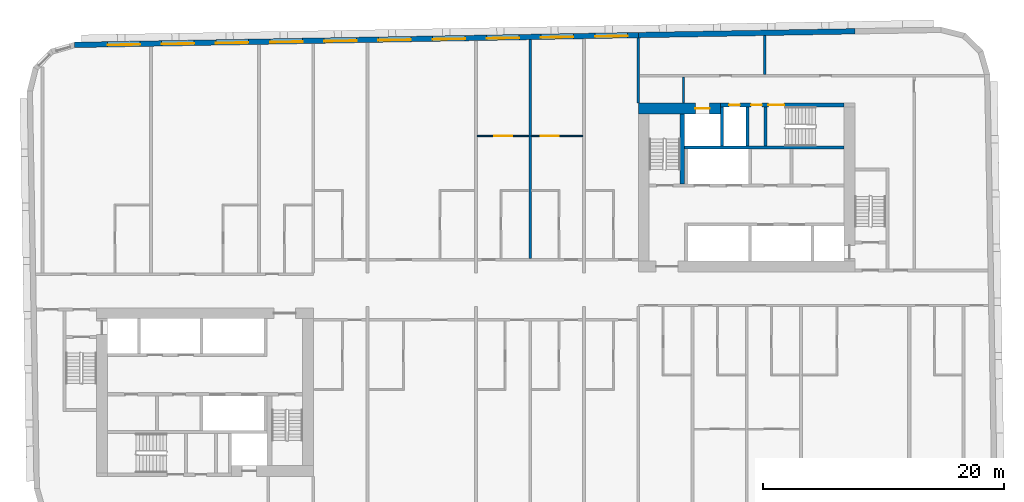
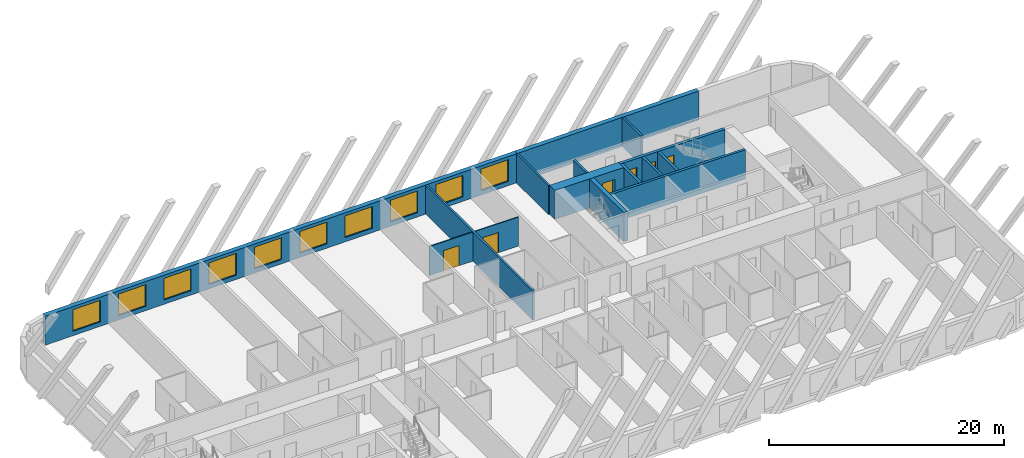
# One storey, part 6 of 12: 15 walls, 10 windows, 6 doors, 16 openings.
"""IFC4 building model written with IfcOpenShell, lengths in metres."""

import ifcopenshell
import ifcopenshell.guid

model = None  # the IFC model being written
_history = None  # IfcOwnerHistory: only IFC2X3 demands one
_inside = {}  # id of a spatial element -> (the spatial element, [elements in it])
_under = {}  # id of a project, library or spatial element -> (it, [spatial elements below it])
_declared = {}  # id of a project -> (the project, [libraries it declares])
_typed = {}  # id of a type object -> (the type object, [elements of that type])
_made_of = {}  # id of a material, layer set ... -> (it, [elements and type objects made of it])


def new_model(schema):
    """Start an empty IFC model of exactly this schema.

    Asked for "IFC4X3", IfcOpenShell would pick the latest addendum, in which some entities
    have other attributes; the version numbers below select the first issue.
    IFC2X3 requires an IfcOwnerHistory on every rooted entity: one is made here for all.
    """
    global model, _history
    if schema == "IFC4X3":
        model = ifcopenshell.file(schema_version=(4, 3, 0, 0))
    else:
        model = ifcopenshell.file(schema=schema)
    _inside.clear()
    _under.clear()
    _declared.clear()
    _typed.clear()
    _made_of.clear()
    _history = None
    if model.schema == "IFC2X3":
        org = make("IfcOrganization", Name="unknown")
        user = make(
            "IfcPersonAndOrganization",
            ThePerson=make("IfcPerson", FamilyName="unknown"),
            TheOrganization=org,
        )
        app = make(
            "IfcApplication",
            ApplicationDeveloper=org,
            Version="unknown",
            ApplicationFullName="unknown",
            ApplicationIdentifier="unknown",
        )
        _history = make(
            "IfcOwnerHistory",
            OwningUser=user,
            OwningApplication=app,
            ChangeAction="ADDED",
            CreationDate=0,
        )
    return model


def make(cls, **values):
    """One entity of the class cls with the attributes given. An attribute that is None is left unset."""
    return model.create_entity(
        cls, **{name: value for name, value in values.items() if value is not None}
    )


def rooted(cls, **values):
    """An entity with a GlobalId (a new one), such as an element, a storey or a relation."""
    return make(cls, GlobalId=ifcopenshell.guid.new(), OwnerHistory=_history, **values)


def si_unit(unit_type, name, prefix=None):
    """IfcSIUnit, for example si_unit("LENGTHUNIT", "METRE", prefix="MILLI")."""
    return make("IfcSIUnit", UnitType=unit_type, Prefix=prefix, Name=name)


def assignment(units):
    """IfcUnitAssignment: the units of a project."""
    return None if units is None else make("IfcUnitAssignment", Units=units)


def point(xyz):
    """IfcCartesianPoint."""
    return None if xyz is None else make("IfcCartesianPoint", Coordinates=xyz)


def direction(xyz):
    """IfcDirection."""
    return None if xyz is None else make("IfcDirection", DirectionRatios=xyz)


def frame(location, z_axis=None, x_axis=None):
    """IfcAxis2Placement3D, a coordinate frame: its origin and axes. An axis left out is left unset."""
    return make(
        "IfcAxis2Placement3D",
        Location=point(location),
        Axis=direction(z_axis),
        RefDirection=direction(x_axis),
    )


def frame_2d(location, x_axis=None):
    """IfcAxis2Placement2D, a coordinate frame in the plane: its origin and x axis."""
    return make(
        "IfcAxis2Placement2D", Location=point(location), RefDirection=direction(x_axis)
    )


def origin():
    """The frame at (0, 0, 0) with its axes left unset."""
    return frame((0.0, 0.0, 0.0))


def place(relative_to, where):
    """IfcLocalPlacement: puts the frame where relative to a parent placement (None: the world)."""
    return make(
        "IfcLocalPlacement", PlacementRelTo=relative_to, RelativePlacement=where
    )


def context(
    kind, dimensions, precision=None, world=None, true_north=None, identifier=None
):
    """IfcGeometricRepresentationContext, for example the 3D "Model" context."""
    return make(
        "IfcGeometricRepresentationContext",
        ContextIdentifier=identifier,
        ContextType=kind,
        CoordinateSpaceDimension=dimensions,
        Precision=precision,
        WorldCoordinateSystem=world,
        TrueNorth=true_north,
    )


def subcontext(parent, identifier, kind, view, scale=None):
    """IfcGeometricRepresentationSubContext, for example "Body" below "Model"."""
    return make(
        "IfcGeometricRepresentationSubContext",
        ContextIdentifier=identifier,
        ContextType=kind,
        ParentContext=parent,
        TargetScale=scale,
        TargetView=view,
    )


def project(units=None, contexts=None):
    """IfcProject with its units and contexts."""
    return rooted(
        "IfcProject",
        Name="project",
        RepresentationContexts=contexts,
        UnitsInContext=assignment(units),
    )


def spatial(cls, under=None, at=None, **own):
    """A site, building, storey or space (cls), placed at a placement, below another one or the project."""
    s = rooted(cls, ObjectPlacement=at, **own)
    if under is not None:
        _under.setdefault(under.id(), (under, []))[1].append(s)
    return s


def profile(cls, at=None, kind="AREA", **sizes):
    """A parametric profile (cls). Its sizes go by their IFC names, for example OverallWidth=200.0."""
    return make(cls, ProfileType=kind, Position=at, **sizes)


def rectangle(**sizes):
    """IfcRectangleProfileDef."""
    return profile("IfcRectangleProfileDef", **sizes)


def extrude(swept, where, along, depth):
    """IfcExtrudedAreaSolid: the profile swept, set in the frame where, extruded along a direction by depth."""
    return make(
        "IfcExtrudedAreaSolid",
        SweptArea=swept,
        Position=where,
        ExtrudedDirection=direction(along),
        Depth=depth,
    )


def shape(context_of_items, identifier, shape_type, items):
    """IfcShapeRepresentation: the items that make up one representation, for example the "Body"."""
    return make(
        "IfcShapeRepresentation",
        ContextOfItems=context_of_items,
        RepresentationIdentifier=identifier,
        RepresentationType=shape_type,
        Items=items,
    )


def material(Name=None, Category=None):
    """IfcMaterial."""
    return make("IfcMaterial", Name=Name, Category=Category)


def layer(
    of_material, thickness, ventilated=None, Name=None, Category=None, Priority=None
):
    """IfcMaterialLayer: one layer of a wall or slab, of a material (None: an air gap)."""
    return make(
        "IfcMaterialLayer",
        Material=of_material,
        LayerThickness=thickness,
        IsVentilated=ventilated,
        Name=Name,
        Category=Category,
        Priority=Priority,
    )


def layer_set(layers, Name=None):
    """IfcMaterialLayerSet."""
    return make("IfcMaterialLayerSet", MaterialLayers=layers, LayerSetName=Name)


def made_of(thing, what):
    """Note that an element or type object is made of a material, layer set ...; save() writes the relation."""
    if what is not None:
        _made_of.setdefault(what.id(), (what, []))[1].append(thing)
    return thing


def type_object(cls, material=None, **own):
    """A type object (cls), such as IfcWallType, which elements share."""
    return made_of(rooted(cls, **own), material)


def element(
    cls,
    number,
    at=None,
    inside=None,
    cuts=None,
    type_object=None,
    material=None,
    context=None,
    identifier="Body",
    shape_type=None,
    held_by="IfcProductDefinitionShape",
    body=None,
    shapes=None,
    **own,
):
    """One element of the class cls, such as IfcWall. Its Tag is "e" and its number.

    at: its placement. inside: the storey or other place that contains it. cuts: it is an
    opening in that element (IfcRelVoidsElement). A single representation is given by context,
    identifier, shape_type and body (its items); several are given by shapes. held_by: the class
    of the entity that holds the representations. save() writes the other relations.
    """
    e = rooted(cls, Tag="e%d" % number, ObjectPlacement=at, **own)
    if body is not None:
        shapes = [shape(context, identifier, shape_type, body)]
    if shapes is not None:
        e.Representation = make(held_by, Representations=shapes)
    if inside is not None:
        _inside.setdefault(inside.id(), (inside, []))[1].append(e)
    if cuts is not None:
        rooted(
            "IfcRelVoidsElement", RelatingBuildingElement=cuts, RelatedOpeningElement=e
        )
    if type_object is not None:
        _typed.setdefault(type_object.id(), (type_object, []))[1].append(e)
    return made_of(e, material)


def fill(opening, filler):
    """IfcRelFillsElement: the door or window that sits in an opening."""
    return rooted(
        "IfcRelFillsElement",
        RelatingOpeningElement=opening,
        RelatedBuildingElement=filler,
    )


def aggregate(whole, parts):
    """IfcRelAggregates: a whole, such as a stair, and the parts it consists of."""
    return rooted("IfcRelAggregates", RelatingObject=whole, RelatedObjects=parts)


def save(model, path):
    """Write the relations noted so far, then the file.

    IfcRelAggregates (storeys below a building ...), IfcRelContainedInSpatialStructure (elements
    in a storey), IfcRelDefinesByType, IfcRelAssociatesMaterial and IfcRelDeclares: one each for
    every whole, place, type object, material and project.
    """
    for whole, parts in _under.values():
        aggregate(whole, parts)
    for where, things in _inside.values():
        rooted(
            "IfcRelContainedInSpatialStructure",
            RelatedElements=things,
            RelatingStructure=where,
        )
    for kind, things in _typed.values():
        rooted("IfcRelDefinesByType", RelatedObjects=things, RelatingType=kind)
    for what, things in _made_of.values():
        rooted("IfcRelAssociatesMaterial", RelatedObjects=things, RelatingMaterial=what)
    for by, libraries in _declared.values():
        rooted("IfcRelDeclares", RelatingContext=by, RelatedDefinitions=libraries)
    model.write(path)


model = new_model("IFC4")

# Units and contexts
model_context = context("Model", 3, precision=1e-05, world=origin(), true_north=direction((0.0, 1.0)))
body_context = subcontext(model_context, "Body", "Model", "MODEL_VIEW")
ifc_project = project(units=[si_unit("LENGTHUNIT", "METRE"), si_unit("AREAUNIT", "SQUARE_METRE"), si_unit("VOLUMEUNIT", "CUBIC_METRE"), si_unit("PLANEANGLEUNIT", "RADIAN"), si_unit("MASSUNIT", "GRAM", prefix="KILO")], contexts=[model_context])

# Site, building, storey
site_placement = place(None, origin())
site = spatial("IfcSite", under=ifc_project, at=site_placement, CompositionType="ELEMENT")
building_placement = place(site_placement, origin())
building = spatial("IfcBuilding", under=site, at=building_placement, Name="Kajstack Hotel Tower", CompositionType="ELEMENT")
storey_placement = place(building_placement, frame((0.0, 0.0, 227.60009765625)))
storey = spatial("IfcBuildingStorey", under=building, at=storey_placement, Name="L55", CompositionType="ELEMENT", Elevation=227.60009765625)

# Wall, opening, door
ifc_material_1 = material(Name="Concrete C60/75", Category="concrete")
ifc_layer_1 = layer(ifc_material_1, 0.89990234375)
ifc_layer_set_1 = layer_set([ifc_layer_1], Name="Core wall 900")
wall_type_1 = type_object("IfcWallType", Name="Core wall 900", PredefinedType="SHEAR", material=ifc_layer_set_1)
wall_1_placement = place(storey_placement, frame((13.5, 15.050048828125, 0.0), z_axis=(0.0, 0.0, 1.0), x_axis=(1.0, 0.0, 0.0)))
wall_1 = element("IfcWall", 1, at=wall_1_placement, inside=storey, type_object=wall_type_1, Name="Core wall E RS", PredefinedType="SHEAR", context=body_context, shape_type="SweptSolid", body=[
    extrude(rectangle(XDim=6.800048828125, YDim=0.89990234375, at=frame_2d((3.39990234375, 0.0))), origin(), (0.0, 0.0, 1.0), 3.02001953125),
])
opening_1_placement = place(wall_1_placement, frame((4.72509765625, 0.0, 0.0)))
opening_1 = element("IfcOpeningElement", 2, at=opening_1_placement, cuts=wall_1, Name="Opening LD-SV2", PredefinedType="OPENING", context=body_context, shape_type="SweptSolid", body=[
    extrude(rectangle(XDim=1.199951171875, YDim=2.10009765625, at=frame_2d((0.60009765625, 1.050048828125))), frame((0.0, 0.4599609375, 0.0), z_axis=(0.0, -1.0, 0.0), x_axis=(1.0, 0.0, 0.0)), (0.0, 0.0, 1.0), 0.919921875),
])
ifc_material_2 = material(Name="Stainless steel", Category="steel")
door_type_1 = type_object("IfcDoorType", Name="Lift landing door 1200", OperationType="SLIDING_TO_LEFT", PredefinedType="DOOR", material=ifc_material_2)
door_1_placement = place(opening_1_placement, origin())
door_1 = element("IfcDoor", 3, at=door_1_placement, inside=storey, type_object=door_type_1, Name="Landing door SV2", OperationType="SLIDING_TO_LEFT", OverallHeight=2.10009765625, OverallWidth=1.199951171875, PredefinedType="DOOR", context=body_context, shape_type="SweptSolid", body=[
    extrude(rectangle(XDim=1.199951171875, YDim=2.10009765625, at=frame_2d((0.60009765625, 1.050048828125))), frame((0.0, 0.02490234375, 0.0), z_axis=(0.0, -1.0, 0.0), x_axis=(1.0, 0.0, 0.0)), (0.0, 0.0, 1.0), 0.050048828125),
])
fill(opening_1, door_1)

# Walls
ifc_material_3 = material(Name="Twin-frame gypsum board on steel studs, mineral wool", Category="steel")
ifc_layer_2 = layer(ifc_material_3, 0.199951171875)
ifc_layer_set_2 = layer_set([ifc_layer_2], Name="Demising wall 200")
wall_type_2 = type_object("IfcWallType", Name="Demising wall 200", PredefinedType="PARTITIONING", material=ifc_layer_set_2)
wall_2_placement = place(storey_placement, frame((13.5, 15.5, 0.0), z_axis=(0.0, 0.0, 1.0), x_axis=(0.0, 1.0, 0.0)))
element("IfcWall", 4, at=wall_2_placement, inside=storey, type_object=wall_type_2, Name="G-wall-L55-001", PredefinedType="PARTITIONING", context=body_context, shape_type="SweptSolid", body=[
    extrude(rectangle(XDim=5.43603515625, YDim=0.199951171875, at=frame_2d((2.718017578125, 0.0))), origin(), (0.0, 0.0, 1.0), 3.02001953125),
])
wall_3_placement = place(storey_placement, frame((4.5, 2.60009765625, 0.0), z_axis=(0.0, 0.0, 1.0), x_axis=(0.0, 1.0, 0.0)))
element("IfcWall", 5, at=wall_3_placement, inside=storey, type_object=wall_type_2, Name="G-wall-L55-016", PredefinedType="PARTITIONING", context=body_context, shape_type="SweptSolid", body=[
    extrude(rectangle(XDim=18.178955078125, YDim=0.199951171875, at=frame_2d((9.08935546875, 0.0))), origin(), (0.0, 0.0, 1.0), 3.02001953125),
])
ifc_material_4 = material(Name="Concrete C40/50", Category="concrete")
ifc_layer_3 = layer(ifc_material_4, 0.449951171875)
ifc_layer_set_3 = layer_set([ifc_layer_3], Name="EW-CORE")
wall_type_3 = type_object("IfcWallType", Name="EW-CORE", PredefinedType="SOLIDWALL", material=ifc_layer_set_3)
wall_4_placement = place(storey_placement, frame((31.50390625, 21.4755859375, 0.0), z_axis=(0.0, 0.0, 1.0), x_axis=(-0.999847677887, -0.017453395744, 0.0)))
element("IfcWall", 6, at=wall_4_placement, inside=storey, type_object=wall_type_3, Name="E-wall-L55-12-01", PredefinedType="SOLIDWALL", context=body_context, shape_type="SweptSolid", body=[
    extrude(rectangle(XDim=18.002685546875, YDim=0.449951171875, at=frame_2d((9.00146484375, 0.0))), origin(), (0.0, 0.0, 1.0), 3.02001953125),
])

# Wall, openings, windows
ifc_material_5 = material(Name="Terracotta-faced brick masonry", Category="masonry")
ifc_layer_4 = layer(ifc_material_5, 0.449951171875)
ifc_layer_set_4 = layer_set([ifc_layer_4], Name="EW-TERRA")
wall_type_4 = type_object("IfcWallType", Name="EW-TERRA", PredefinedType="SOLIDWALL", material=ifc_layer_set_4)
wall_5_placement = place(storey_placement, frame((13.50390625, 21.161376953125, 0.0), z_axis=(0.0, 0.0, 1.0), x_axis=(-0.999847763257, -0.017448504532, 0.0)))
wall_5 = element("IfcWall", 7, at=wall_5_placement, inside=storey, type_object=wall_type_4, Name="E-wall-L55-12-02", PredefinedType="SOLIDWALL", context=body_context, shape_type="SweptSolid", body=[
    extrude(rectangle(XDim=46.859375, YDim=0.449951171875, at=frame_2d((23.4296875, 0.0))), origin(), (0.0, 0.0, 1.0), 3.02001953125),
])
opening_2_placement = place(wall_5_placement, frame((0.900390625, 0.0, 0.449951171875)))
opening_2 = element("IfcOpeningElement", 8, at=opening_2_placement, cuts=wall_5, Name="Opening W1", PredefinedType="OPENING", context=body_context, shape_type="SweptSolid", body=[
    extrude(rectangle(XDim=2.699951171875, YDim=2.25, at=frame_2d((1.35009765625, 1.125))), frame((0.0, 0.23486328125, 0.0), z_axis=(0.0, -1.0, 0.0), x_axis=(1.0, 0.0, 0.0)), (0.0, 0.0, 1.0), 0.469970703125),
])
opening_3_placement = place(wall_5_placement, frame((5.401123046875, 0.0, 0.449951171875)))
opening_3 = element("IfcOpeningElement", 9, at=opening_3_placement, cuts=wall_5, Name="Opening W1", PredefinedType="OPENING", context=body_context, shape_type="SweptSolid", body=[
    extrude(rectangle(XDim=2.699951171875, YDim=2.25, at=frame_2d((1.35009765625, 1.125))), frame((0.0, 0.23486328125, 0.0), z_axis=(0.0, -1.0, 0.0), x_axis=(1.0, 0.0, 0.0)), (0.0, 0.0, 1.0), 0.469970703125),
])
opening_4_placement = place(wall_5_placement, frame((9.90185546875, 0.0, 0.449951171875)))
opening_4 = element("IfcOpeningElement", 10, at=opening_4_placement, cuts=wall_5, Name="Opening W1", PredefinedType="OPENING", context=body_context, shape_type="SweptSolid", body=[
    extrude(rectangle(XDim=2.699951171875, YDim=2.25, at=frame_2d((1.35009765625, 1.125))), frame((0.0, 0.23486328125, 0.0), z_axis=(0.0, -1.0, 0.0), x_axis=(1.0, 0.0, 0.0)), (0.0, 0.0, 1.0), 0.469970703125),
])
opening_5_placement = place(wall_5_placement, frame((14.40234375, 0.0, 0.449951171875)))
opening_5 = element("IfcOpeningElement", 11, at=opening_5_placement, cuts=wall_5, Name="Opening W1", PredefinedType="OPENING", context=body_context, shape_type="SweptSolid", body=[
    extrude(rectangle(XDim=2.699951171875, YDim=2.25, at=frame_2d((1.35009765625, 1.125))), frame((0.0, 0.23486328125, 0.0), z_axis=(0.0, -1.0, 0.0), x_axis=(1.0, 0.0, 0.0)), (0.0, 0.0, 1.0), 0.469970703125),
])
opening_6_placement = place(wall_5_placement, frame((18.9033203125, 0.0, 0.449951171875)))
opening_6 = element("IfcOpeningElement", 12, at=opening_6_placement, cuts=wall_5, Name="Opening W1", PredefinedType="OPENING", context=body_context, shape_type="SweptSolid", body=[
    extrude(rectangle(XDim=2.699951171875, YDim=2.25, at=frame_2d((1.35009765625, 1.125))), frame((0.0, 0.23486328125, 0.0), z_axis=(0.0, -1.0, 0.0), x_axis=(1.0, 0.0, 0.0)), (0.0, 0.0, 1.0), 0.469970703125),
])
opening_7_placement = place(wall_5_placement, frame((23.40380859375, 0.0, 0.449951171875)))
opening_7 = element("IfcOpeningElement", 13, at=opening_7_placement, cuts=wall_5, Name="Opening W1", PredefinedType="OPENING", context=body_context, shape_type="SweptSolid", body=[
    extrude(rectangle(XDim=2.699951171875, YDim=2.25, at=frame_2d((1.35009765625, 1.125))), frame((0.0, 0.23486328125, 0.0), z_axis=(0.0, -1.0, 0.0), x_axis=(1.0, 0.0, 0.0)), (0.0, 0.0, 1.0), 0.469970703125),
])
opening_8_placement = place(wall_5_placement, frame((27.904296875, 0.0, 0.449951171875)))
opening_8 = element("IfcOpeningElement", 14, at=opening_8_placement, cuts=wall_5, Name="Opening W1", PredefinedType="OPENING", context=body_context, shape_type="SweptSolid", body=[
    extrude(rectangle(XDim=2.699951171875, YDim=2.25, at=frame_2d((1.35009765625, 1.125))), frame((0.0, 0.23486328125, 0.0), z_axis=(0.0, -1.0, 0.0), x_axis=(1.0, 0.0, 0.0)), (0.0, 0.0, 1.0), 0.469970703125),
])
opening_9_placement = place(wall_5_placement, frame((32.4052734375, 0.0, 0.449951171875)))
opening_9 = element("IfcOpeningElement", 15, at=opening_9_placement, cuts=wall_5, Name="Opening W1", PredefinedType="OPENING", context=body_context, shape_type="SweptSolid", body=[
    extrude(rectangle(XDim=2.699951171875, YDim=2.25, at=frame_2d((1.35009765625, 1.125))), frame((0.0, 0.23486328125, 0.0), z_axis=(0.0, -1.0, 0.0), x_axis=(1.0, 0.0, 0.0)), (0.0, 0.0, 1.0), 0.469970703125),
])
opening_10_placement = place(wall_5_placement, frame((36.906005859375, 0.0, 0.449951171875)))
opening_10 = element("IfcOpeningElement", 16, at=opening_10_placement, cuts=wall_5, Name="Opening W1", PredefinedType="OPENING", context=body_context, shape_type="SweptSolid", body=[
    extrude(rectangle(XDim=2.699951171875, YDim=2.25, at=frame_2d((1.35009765625, 1.125))), frame((0.0, 0.23486328125, 0.0), z_axis=(0.0, -1.0, 0.0), x_axis=(1.0, 0.0, 0.0)), (0.0, 0.0, 1.0), 0.469970703125),
])
opening_11_placement = place(wall_5_placement, frame((41.406494140625, 0.0, 0.449951171875)))
opening_11 = element("IfcOpeningElement", 17, at=opening_11_placement, cuts=wall_5, Name="Opening W1", PredefinedType="OPENING", context=body_context, shape_type="SweptSolid", body=[
    extrude(rectangle(XDim=2.699951171875, YDim=2.25, at=frame_2d((1.35009765625, 1.125))), frame((0.0, 0.23486328125, 0.0), z_axis=(0.0, -1.0, 0.0), x_axis=(1.0, 0.0, 0.0)), (0.0, 0.0, 1.0), 0.469970703125),
])
ifc_material_6 = material(Name="Timber-aluminium window, triple glazed", Category="wood")
window_type = type_object("IfcWindowType", Name="WG1", PartitioningType="SINGLE_PANEL", PredefinedType="WINDOW", material=ifc_material_6)
window_1_placement = place(opening_2_placement, origin())
window_1 = element("IfcWindow", 18, at=window_1_placement, inside=storey, type_object=window_type, Name="Window W1 L55-12", OverallHeight=2.25, OverallWidth=2.699951171875, PartitioningType="SINGLE_PANEL", PredefinedType="WINDOW", context=body_context, shape_type="SweptSolid", body=[
    extrude(rectangle(XDim=2.699951171875, YDim=2.25, at=frame_2d((1.35009765625, 1.125))), frame((0.0, 0.090087890625, 0.0), z_axis=(0.0, -1.0, 0.0), x_axis=(1.0, 0.0, 0.0)), (0.0, 0.0, 1.0), 0.06005859375),
])
fill(opening_2, window_1)
window_2_placement = place(opening_3_placement, origin())
window_2 = element("IfcWindow", 19, at=window_2_placement, inside=storey, type_object=window_type, Name="Window W1 L55-12", OverallHeight=2.25, OverallWidth=2.699951171875, PartitioningType="SINGLE_PANEL", PredefinedType="WINDOW", context=body_context, shape_type="SweptSolid", body=[
    extrude(rectangle(XDim=2.699951171875, YDim=2.25, at=frame_2d((1.35009765625, 1.125))), frame((0.0, 0.090087890625, 0.0), z_axis=(0.0, -1.0, 0.0), x_axis=(1.0, 0.0, 0.0)), (0.0, 0.0, 1.0), 0.06005859375),
])
fill(opening_3, window_2)
window_3_placement = place(opening_4_placement, origin())
window_3 = element("IfcWindow", 20, at=window_3_placement, inside=storey, type_object=window_type, Name="Window W1 L55-12", OverallHeight=2.25, OverallWidth=2.699951171875, PartitioningType="SINGLE_PANEL", PredefinedType="WINDOW", context=body_context, shape_type="SweptSolid", body=[
    extrude(rectangle(XDim=2.699951171875, YDim=2.25, at=frame_2d((1.35009765625, 1.125))), frame((0.0, 0.090087890625, 0.0), z_axis=(0.0, -1.0, 0.0), x_axis=(1.0, 0.0, 0.0)), (0.0, 0.0, 1.0), 0.06005859375),
])
fill(opening_4, window_3)
window_4_placement = place(opening_5_placement, origin())
window_4 = element("IfcWindow", 21, at=window_4_placement, inside=storey, type_object=window_type, Name="Window W1 L55-12", OverallHeight=2.25, OverallWidth=2.699951171875, PartitioningType="SINGLE_PANEL", PredefinedType="WINDOW", context=body_context, shape_type="SweptSolid", body=[
    extrude(rectangle(XDim=2.699951171875, YDim=2.25, at=frame_2d((1.35009765625, 1.125))), frame((0.0, 0.090087890625, 0.0), z_axis=(0.0, -1.0, 0.0), x_axis=(1.0, 0.0, 0.0)), (0.0, 0.0, 1.0), 0.06005859375),
])
fill(opening_5, window_4)
window_5_placement = place(opening_6_placement, origin())
window_5 = element("IfcWindow", 22, at=window_5_placement, inside=storey, type_object=window_type, Name="Window W1 L55-12", OverallHeight=2.25, OverallWidth=2.699951171875, PartitioningType="SINGLE_PANEL", PredefinedType="WINDOW", context=body_context, shape_type="SweptSolid", body=[
    extrude(rectangle(XDim=2.699951171875, YDim=2.25, at=frame_2d((1.35009765625, 1.125))), frame((0.0, 0.090087890625, 0.0), z_axis=(0.0, -1.0, 0.0), x_axis=(1.0, 0.0, 0.0)), (0.0, 0.0, 1.0), 0.06005859375),
])
fill(opening_6, window_5)
window_6_placement = place(opening_7_placement, origin())
window_6 = element("IfcWindow", 23, at=window_6_placement, inside=storey, type_object=window_type, Name="Window W1 L55-12", OverallHeight=2.25, OverallWidth=2.699951171875, PartitioningType="SINGLE_PANEL", PredefinedType="WINDOW", context=body_context, shape_type="SweptSolid", body=[
    extrude(rectangle(XDim=2.699951171875, YDim=2.25, at=frame_2d((1.35009765625, 1.125))), frame((0.0, 0.090087890625, 0.0), z_axis=(0.0, -1.0, 0.0), x_axis=(1.0, 0.0, 0.0)), (0.0, 0.0, 1.0), 0.06005859375),
])
fill(opening_7, window_6)
window_7_placement = place(opening_8_placement, origin())
window_7 = element("IfcWindow", 24, at=window_7_placement, inside=storey, type_object=window_type, Name="Window W1 L55-12", OverallHeight=2.25, OverallWidth=2.699951171875, PartitioningType="SINGLE_PANEL", PredefinedType="WINDOW", context=body_context, shape_type="SweptSolid", body=[
    extrude(rectangle(XDim=2.699951171875, YDim=2.25, at=frame_2d((1.35009765625, 1.125))), frame((0.0, 0.090087890625, 0.0), z_axis=(0.0, -1.0, 0.0), x_axis=(1.0, 0.0, 0.0)), (0.0, 0.0, 1.0), 0.06005859375),
])
fill(opening_8, window_7)
window_8_placement = place(opening_9_placement, origin())
window_8 = element("IfcWindow", 25, at=window_8_placement, inside=storey, type_object=window_type, Name="Window W1 L55-12", OverallHeight=2.25, OverallWidth=2.699951171875, PartitioningType="SINGLE_PANEL", PredefinedType="WINDOW", context=body_context, shape_type="SweptSolid", body=[
    extrude(rectangle(XDim=2.699951171875, YDim=2.25, at=frame_2d((1.35009765625, 1.125))), frame((0.0, 0.090087890625, 0.0), z_axis=(0.0, -1.0, 0.0), x_axis=(1.0, 0.0, 0.0)), (0.0, 0.0, 1.0), 0.06005859375),
])
fill(opening_9, window_8)
window_9_placement = place(opening_10_placement, origin())
window_9 = element("IfcWindow", 26, at=window_9_placement, inside=storey, type_object=window_type, Name="Window W1 L55-12", OverallHeight=2.25, OverallWidth=2.699951171875, PartitioningType="SINGLE_PANEL", PredefinedType="WINDOW", context=body_context, shape_type="SweptSolid", body=[
    extrude(rectangle(XDim=2.699951171875, YDim=2.25, at=frame_2d((1.35009765625, 1.125))), frame((0.0, 0.090087890625, 0.0), z_axis=(0.0, -1.0, 0.0), x_axis=(1.0, 0.0, 0.0)), (0.0, 0.0, 1.0), 0.06005859375),
])
fill(opening_10, window_9)
window_10_placement = place(opening_11_placement, origin())
window_10 = element("IfcWindow", 27, at=window_10_placement, inside=storey, type_object=window_type, Name="Window W1 L55-12", OverallHeight=2.25, OverallWidth=2.699951171875, PartitioningType="SINGLE_PANEL", PredefinedType="WINDOW", context=body_context, shape_type="SweptSolid", body=[
    extrude(rectangle(XDim=2.699951171875, YDim=2.25, at=frame_2d((1.35009765625, 1.125))), frame((0.0, 0.090087890625, 0.0), z_axis=(0.0, -1.0, 0.0), x_axis=(1.0, 0.0, 0.0)), (0.0, 0.0, 1.0), 0.06005859375),
])
fill(opening_11, window_10)

# Wall, opening, door
ifc_material_7 = material(Name="Gypsum board on steel studs", Category="steel")
ifc_layer_5 = layer(ifc_material_7, 0.10009765625)
ifc_layer_set_5 = layer_set([ifc_layer_5], Name="Partition 100")
wall_type_5 = type_object("IfcWallType", Name="Partition 100", PredefinedType="PARTITIONING", material=ifc_layer_set_5)
wall_6_placement = place(storey_placement, frame((0.125, 12.77490234375, 0.0), z_axis=(0.0, 0.0, 1.0), x_axis=(1.0, 0.0, 0.0)))
wall_6 = element("IfcWall", 28, at=wall_6_placement, inside=storey, type_object=wall_type_5, Name="G-wall-L55-019", PredefinedType="PARTITIONING", context=body_context, shape_type="SweptSolid", body=[
    extrude(rectangle(XDim=4.27490234375, YDim=0.10009765625, at=frame_2d((2.137451171875, 0.0))), origin(), (0.0, 0.0, 1.0), 3.02001953125),
])
opening_12_placement = place(wall_6_placement, frame((1.387939453125, 0.0, 0.0)))
opening_12 = element("IfcOpeningElement", 29, at=opening_12_placement, cuts=wall_6, Name="Opening 55013", PredefinedType="OPENING", context=body_context, shape_type="SweptSolid", body=[
    extrude(rectangle(XDim=1.5, YDim=2.10009765625, at=frame_2d((0.75, 1.050048828125))), frame((0.0, 0.06005859375, 0.0), z_axis=(0.0, -1.0, 0.0), x_axis=(1.0, 0.0, 0.0)), (0.0, 0.0, 1.0), 0.1201171875),
])
ifc_material_8 = material(Name="Painted timber door leaves, glazed panels", Category="wood")
door_type_2 = type_object("IfcDoorType", Name="Double door 1500", OperationType="SINGLE_SWING_LEFT", PredefinedType="DOOR", material=ifc_material_8)
door_2_placement = place(opening_12_placement, origin())
door_2 = element("IfcDoor", 30, at=door_2_placement, inside=storey, type_object=door_type_2, Name="G-door-L55-13", OperationType="SINGLE_SWING_LEFT", OverallHeight=2.10009765625, OverallWidth=1.5, PredefinedType="DOOR", context=body_context, shape_type="SweptSolid", body=[
    extrude(rectangle(XDim=1.5, YDim=2.10009765625, at=frame_2d((0.75, 1.050048828125))), frame((0.0, 0.02490234375, 0.0), z_axis=(0.0, -1.0, 0.0), x_axis=(1.0, 0.0, 0.0)), (0.0, 0.0, 1.0), 0.050048828125),
])
fill(opening_12, door_2)

wall_7_placement = place(storey_placement, frame((4.60009765625, 12.77490234375, 0.0), z_axis=(0.0, 0.0, 1.0), x_axis=(1.0, 0.0, 0.0)))
wall_7 = element("IfcWall", 31, at=wall_7_placement, inside=storey, type_object=wall_type_5, Name="G-wall-L55-022", PredefinedType="PARTITIONING", context=body_context, shape_type="SweptSolid", body=[
    extrude(rectangle(XDim=4.27490234375, YDim=0.10009765625, at=frame_2d((2.137451171875, 0.0))), origin(), (0.0, 0.0, 1.0), 3.02001953125),
])
opening_13_placement = place(wall_7_placement, frame((0.7880859375, 0.0, 0.0)))
opening_13 = element("IfcOpeningElement", 32, at=opening_13_placement, cuts=wall_7, Name="Opening 55016", PredefinedType="OPENING", context=body_context, shape_type="SweptSolid", body=[
    extrude(rectangle(XDim=1.5, YDim=2.10009765625, at=frame_2d((0.75, 1.050048828125))), frame((0.0, 0.06005859375, 0.0), z_axis=(0.0, -1.0, 0.0), x_axis=(1.0, 0.0, 0.0)), (0.0, 0.0, 1.0), 0.1201171875),
])
door_3_placement = place(opening_13_placement, origin())
door_3 = element("IfcDoor", 33, at=door_3_placement, inside=storey, type_object=door_type_2, Name="G-door-L55-16", OperationType="SINGLE_SWING_LEFT", OverallHeight=2.10009765625, OverallWidth=1.5, PredefinedType="DOOR", context=body_context, shape_type="SweptSolid", body=[
    extrude(rectangle(XDim=1.5, YDim=2.10009765625, at=frame_2d((0.75, 1.050048828125))), frame((0.0, 0.02490234375, 0.0), z_axis=(0.0, -1.0, 0.0), x_axis=(1.0, 0.0, 0.0)), (0.0, 0.0, 1.0), 0.050048828125),
])
fill(opening_13, door_3)

# Walls
ifc_material_9 = material(Name="Concrete block masonry", Category="masonry")
ifc_layer_6 = layer(ifc_material_9, 0.25)
ifc_layer_set_6 = layer_set([ifc_layer_6], Name="Riser partition 250")
wall_type_6 = type_object("IfcWallType", Name="Riser partition 250", PredefinedType="PARTITIONING", material=ifc_layer_set_6)
wall_8_placement = place(storey_placement, frame((22.550048828125, 11.949951171875, 0.0), z_axis=(0.0, 0.0, 1.0), x_axis=(0.0, 1.0, 0.0)))
element("IfcWall", 34, at=wall_8_placement, inside=storey, type_object=wall_type_6, Name="Partition E SZ0", PredefinedType="PARTITIONING", context=body_context, shape_type="SweptSolid", body=[
    extrude(rectangle(XDim=3.25, YDim=0.25, at=frame_2d((1.625, 0.0))), origin(), (0.0, 0.0, 1.0), 3.02001953125),
])
ifc_material_10 = material(Name="Gypsum board on steel studs, mineral wool", Category="steel")
ifc_layer_7 = layer(ifc_material_10, 0.199951171875)
ifc_layer_set_7 = layer_set([ifc_layer_7], Name="Service partition 200")
wall_type_7 = type_object("IfcWallType", Name="Service partition 200", PredefinedType="PARTITIONING", material=ifc_layer_set_7)
wall_9_placement = place(storey_placement, frame((17.25, 15.5, 0.0), z_axis=(0.0, 0.0, 1.0), x_axis=(0.0, 1.0, 0.0)))
element("IfcWall", 35, at=wall_9_placement, inside=storey, type_object=wall_type_7, Name="Partition E SCE", PredefinedType="PARTITIONING", context=body_context, shape_type="SweptSolid", body=[
    extrude(rectangle(XDim=2.199951171875, YDim=0.199951171875, at=frame_2d((1.10009765625, 0.0))), origin(), (0.0, 0.0, 1.0), 3.02001953125),
])
wall_10_placement = place(storey_placement, frame((24.0, 17.89990234375, 0.0), z_axis=(0.0, 0.0, 1.0), x_axis=(0.0, 1.0, 0.0)))
element("IfcWall", 36, at=wall_10_placement, inside=storey, type_object=wall_type_7, Name="Partition E SLP0", PredefinedType="PARTITIONING", context=body_context, shape_type="SweptSolid", body=[
    extrude(rectangle(XDim=3.219970703125, YDim=0.199951171875, at=frame_2d((1.60986328125, 0.0))), origin(), (0.0, 0.0, 1.0), 3.02001953125),
])

# Wall, openings, doors
ifc_material_11 = material(Name="Concrete C50/60", Category="concrete")
ifc_layer_8 = layer(ifc_material_11, 0.25)
ifc_layer_set_8 = layer_set([ifc_layer_8], Name="Shaft wall 250")
wall_type_8 = type_object("IfcWallType", Name="Shaft wall 250", PredefinedType="SHEAR", material=ifc_layer_set_8)
wall_11_placement = place(storey_placement, frame((20.300048828125, 15.35009765625, 0.0), z_axis=(0.0, 0.0, 1.0), x_axis=(1.0, 0.0, 0.0)))
wall_11 = element("IfcWall", 37, at=wall_11_placement, inside=storey, type_object=wall_type_8, Name="Core wall E RSS", PredefinedType="SHEAR", context=body_context, shape_type="SweptSolid", body=[
    extrude(rectangle(XDim=10.300048828125, YDim=0.300048828125, at=frame_2d((5.14990234375, 0.0))), origin(), (0.0, 0.0, 1.0), 3.02001953125),
])
opening_14_placement = place(wall_11_placement, frame((4.0, 0.0, 0.0)))
opening_14 = element("IfcOpeningElement", 38, at=opening_14_placement, cuts=wall_11, Name="Opening 55E12", PredefinedType="OPENING", context=body_context, shape_type="SweptSolid", body=[
    extrude(rectangle(XDim=1.300048828125, YDim=2.10009765625, at=frame_2d((0.64990234375, 1.050048828125))), frame((0.0, 0.159912109375, 0.0), z_axis=(0.0, -1.0, 0.0), x_axis=(1.0, 0.0, 0.0)), (0.0, 0.0, 1.0), 0.320068359375),
])
opening_15_placement = place(wall_11_placement, frame((2.5625, 0.0, 0.0)))
opening_15 = element("IfcOpeningElement", 39, at=opening_15_placement, cuts=wall_11, Name="Opening 55E13", PredefinedType="OPENING", context=body_context, shape_type="SweptSolid", body=[
    extrude(rectangle(XDim=0.89990234375, YDim=2.10009765625, at=frame_2d((0.449951171875, 1.050048828125))), frame((0.0, 0.159912109375, 0.0), z_axis=(0.0, -1.0, 0.0), x_axis=(1.0, 0.0, 0.0)), (0.0, 0.0, 1.0), 0.320068359375),
])
opening_16_placement = place(wall_11_placement, frame((0.737548828125, 0.0, 0.0)))
opening_16 = element("IfcOpeningElement", 40, at=opening_16_placement, cuts=wall_11, Name="Opening 55E14", PredefinedType="OPENING", context=body_context, shape_type="SweptSolid", body=[
    extrude(rectangle(XDim=0.89990234375, YDim=2.10009765625, at=frame_2d((0.449951171875, 1.050048828125))), frame((0.0, 0.159912109375, 0.0), z_axis=(0.0, -1.0, 0.0), x_axis=(1.0, 0.0, 0.0)), (0.0, 0.0, 1.0), 0.320068359375),
])
ifc_material_12 = material(Name="Steel leaf, fire-rated", Category="steel")
door_type_3 = type_object("IfcDoorType", Name="Riser door 900", OperationType="SINGLE_SWING_LEFT", PredefinedType="DOOR", material=ifc_material_12)
door_4_placement = place(opening_16_placement, origin())
door_4 = element("IfcDoor", 41, at=door_4_placement, inside=storey, type_object=door_type_3, Name="Door 55E14", OperationType="SINGLE_SWING_RIGHT", OverallHeight=2.10009765625, OverallWidth=0.89990234375, PredefinedType="DOOR", context=body_context, shape_type="SweptSolid", body=[
    extrude(rectangle(XDim=0.89990234375, YDim=2.10009765625, at=frame_2d((0.449951171875, 1.050048828125))), frame((0.0, 0.02490234375, 0.0), z_axis=(0.0, -1.0, 0.0), x_axis=(1.0, 0.0, 0.0)), (0.0, 0.0, 1.0), 0.050048828125),
])
fill(opening_16, door_4)
ifc_material_13 = material(Name="Timber leaf, fire-rated", Category="wood")
door_type_4 = type_object("IfcDoorType", Name="Service door 900", OperationType="SINGLE_SWING_LEFT", PredefinedType="DOOR", material=ifc_material_13)
door_5_placement = place(opening_15_placement, origin())
door_5 = element("IfcDoor", 42, at=door_5_placement, inside=storey, type_object=door_type_4, Name="Door 55E13", OperationType="SINGLE_SWING_RIGHT", OverallHeight=2.10009765625, OverallWidth=0.89990234375, PredefinedType="DOOR", context=body_context, shape_type="SweptSolid", body=[
    extrude(rectangle(XDim=0.89990234375, YDim=2.10009765625, at=frame_2d((0.449951171875, 1.050048828125))), frame((0.0, 0.02490234375, 0.0), z_axis=(0.0, -1.0, 0.0), x_axis=(1.0, 0.0, 0.0)), (0.0, 0.0, 1.0), 0.050048828125),
])
fill(opening_15, door_5)
door_type_5 = type_object("IfcDoorType", Name="Stair door 1300", OperationType="SINGLE_SWING_LEFT", PredefinedType="DOOR", material=ifc_material_12)
door_6_placement = place(opening_14_placement, origin())
door_6 = element("IfcDoor", 43, at=door_6_placement, inside=storey, type_object=door_type_5, Name="Door 55E12", OperationType="SINGLE_SWING_LEFT", OverallHeight=2.10009765625, OverallWidth=1.300048828125, PredefinedType="DOOR", context=body_context, shape_type="SweptSolid", body=[
    extrude(rectangle(XDim=1.300048828125, YDim=2.10009765625, at=frame_2d((0.64990234375, 1.050048828125))), frame((0.0, 0.02490234375, 0.0), z_axis=(0.0, -1.0, 0.0), x_axis=(1.0, 0.0, 0.0)), (0.0, 0.0, 1.0), 0.050048828125),
])
fill(opening_14, door_6)

# Walls
wall_12_placement = place(storey_placement, frame((17.35009765625, 11.824951171875, 0.0), z_axis=(0.0, 0.0, 1.0), x_axis=(1.0, 0.0, 0.0)))
element("IfcWall", 44, at=wall_12_placement, inside=storey, type_object=wall_type_8, Name="Core wall E RB", PredefinedType="SHEAR", context=body_context, shape_type="SweptSolid", body=[
    extrude(rectangle(XDim=13.25, YDim=0.25, at=frame_2d((6.625, 0.0))), origin(), (0.0, 0.0, 1.0), 3.02001953125),
])
wall_13_placement = place(storey_placement, frame((20.425048828125, 11.949951171875, 0.0), z_axis=(0.0, 0.0, 1.0), x_axis=(0.0, 1.0, 0.0)))
element("IfcWall", 45, at=wall_13_placement, inside=storey, type_object=wall_type_8, Name="Core wall E SVW", PredefinedType="SHEAR", context=body_context, shape_type="SweptSolid", body=[
    extrude(rectangle(XDim=3.25, YDim=0.25, at=frame_2d((1.625, 0.0))), origin(), (0.0, 0.0, 1.0), 3.02001953125),
])
ifc_layer_9 = layer(ifc_material_11, 0.35009765625)
ifc_layer_set_9 = layer_set([ifc_layer_9], Name="Stair enclosure wall 350")
wall_type_9 = type_object("IfcWallType", Name="Stair enclosure wall 350", PredefinedType="SHEAR", material=ifc_layer_set_9)
wall_14_placement = place(storey_placement, frame((24.074951171875, 11.949951171875, 0.0), z_axis=(0.0, 0.0, 1.0), x_axis=(0.0, 1.0, 0.0)))
element("IfcWall", 46, at=wall_14_placement, inside=storey, type_object=wall_type_9, Name="Core wall E W3E", PredefinedType="SHEAR", context=body_context, shape_type="SweptSolid", body=[
    extrude(rectangle(XDim=3.25, YDim=0.25, at=frame_2d((1.625, 0.0))), origin(), (0.0, 0.0, 1.0), 3.02001953125),
])
ifc_layer_10 = layer(ifc_material_11, 0.39990234375)
ifc_layer_set_10 = layer_set([ifc_layer_10], Name="Stair wall 400")
wall_type_10 = type_object("IfcWallType", Name="Stair wall 400", PredefinedType="SHEAR", material=ifc_layer_set_10)
wall_15_placement = place(storey_placement, frame((17.14990234375, 8.800048828125, 0.0), z_axis=(0.0, 0.0, 1.0), x_axis=(0.0, 1.0, 0.0)))
element("IfcWall", 47, at=wall_15_placement, inside=storey, type_object=wall_type_10, Name="Core wall E WW2", PredefinedType="SHEAR", context=body_context, shape_type="SweptSolid", body=[
    extrude(rectangle(XDim=5.800048828125, YDim=0.39990234375, at=frame_2d((2.89990234375, 0.0))), origin(), (0.0, 0.0, 1.0), 3.02001953125),
])

save(model, "model.ifc")
